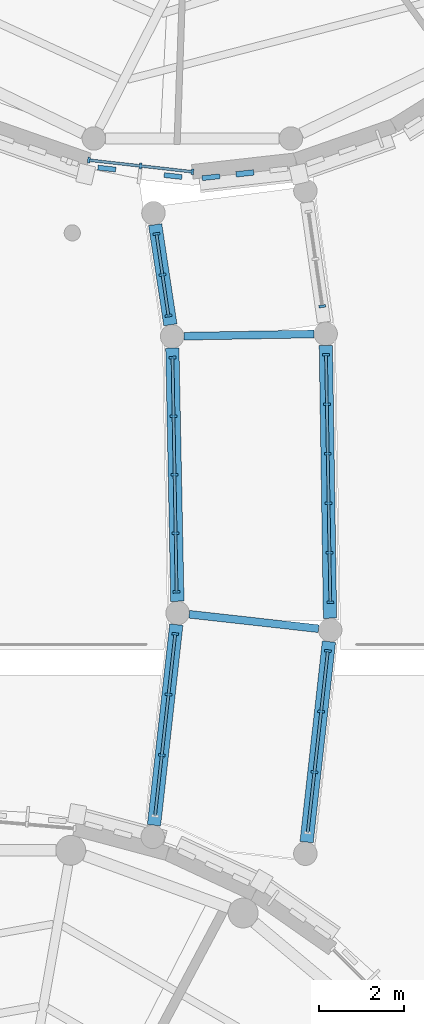
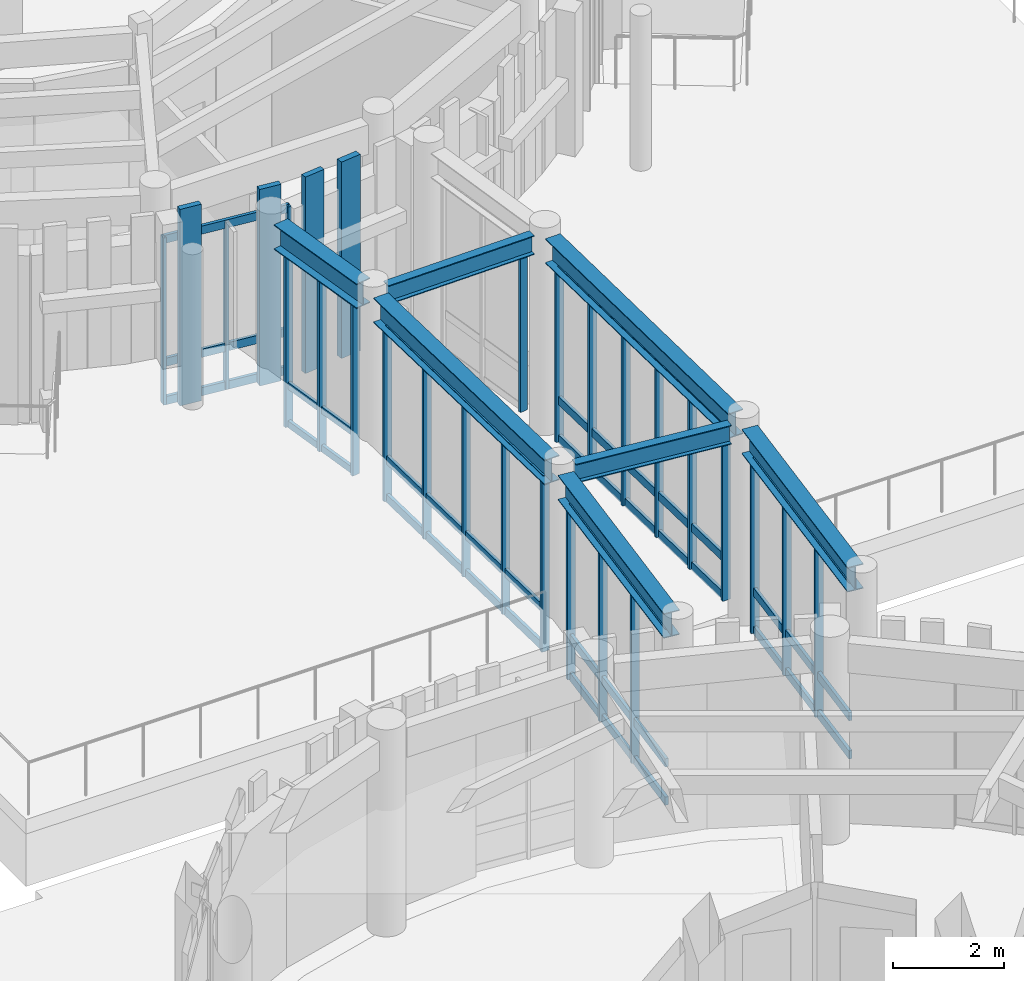
# One storey, part 10 of 94: 46 members, 7 beams, 7 elements without a shape of their own.
"""IFC4 building model written with IfcOpenShell, lengths in metres."""

from ifc_helpers import new_model, si_unit, direction, frame, origin, origin_2d, place, context, subcontext, project, spatial, rectangle, i_section, extrude, material, layer, layer_set, material_profile, profile_set, type_object, element, aggregate, save


model = new_model("IFC4")

# Units and contexts
model_context = context("Model", 3, precision=1e-05, world=origin(), true_north=direction((0.0, 1.0)))
body_context = subcontext(model_context, "Body", "Model", "MODEL_VIEW")
ifc_project = project(units=[si_unit("LENGTHUNIT", "METRE"), si_unit("AREAUNIT", "SQUARE_METRE"), si_unit("VOLUMEUNIT", "CUBIC_METRE"), si_unit("PLANEANGLEUNIT", "RADIAN"), si_unit("MASSUNIT", "GRAM", prefix="KILO")], contexts=[model_context])

# Site, building, storey
site_placement = place(None, origin())
site = spatial("IfcSite", under=ifc_project, at=site_placement, CompositionType="ELEMENT")
building_placement = place(site_placement, origin())
building = spatial("IfcBuilding", under=site, at=building_placement, Name="Aldenvaro Health Centre", CompositionType="ELEMENT")
storey_placement = place(building_placement, origin())
storey = spatial("IfcBuildingStorey", under=building, at=storey_placement, Name="L00", CompositionType="ELEMENT", Elevation=0.0)

# Beams
ifc_material_1 = material(Name="Steel ASTM A992 Grade 50", Category="steel")
ifc_material_profile_1 = material_profile(ifc_material_1, i_section(OverallWidth=0.180908203125, OverallDepth=0.4169921875, WebThickness=0.010986328125, FlangeThickness=0.018310546875, at=origin_2d()), Name="W16X57", Category="steel")
ifc_profile_set_1 = profile_set([ifc_material_profile_1], Name="Steel ASTM A992 Grade 50")
beam_type_1 = type_object("IfcBeamType", Name="BM-ST-W16E", PredefinedType="JOIST", material=ifc_profile_set_1)
beam_1_placement = place(storey_placement, frame((23.427001953125, 36.22607421875, 4.135986328125), z_axis=(0.993838760103, -0.110835548977, 0.0), x_axis=(0.110835548977, 0.993838760103, 0.0)))
element("IfcBeam", 1, at=beam_1_placement, inside=storey, type_object=beam_type_1, Name="West South Curved Garden Walkway Arc 1 L00 cross beam 2", PredefinedType="JOIST", context=body_context, shape_type="SweptSolid", body=[
    extrude(i_section(OverallWidth=0.180908203125, OverallDepth=0.4169921875, WebThickness=0.010986328125, FlangeThickness=0.018310546875, at=origin_2d()), origin(), (0.0, 0.0, 1.0), 3.05078125),
])
beam_2_placement = place(storey_placement, frame((23.301025390625, 42.7451171875, 4.135986328125), z_axis=(0.99985468814, 0.017047070245, 0.0), x_axis=(-0.017047070245, 0.99985468814, 0.0)))
element("IfcBeam", 2, at=beam_2_placement, inside=storey, type_object=beam_type_1, Name="West South Curved Garden Walkway Arc 2 L00 cross beam 2", PredefinedType="JOIST", context=body_context, shape_type="SweptSolid", body=[
    extrude(i_section(OverallWidth=0.180908203125, OverallDepth=0.4169921875, WebThickness=0.010986328125, FlangeThickness=0.018310546875, at=origin_2d()), origin(), (0.0, 0.0, 1.0), 3.050537109375),
])
ifc_material_profile_2 = material_profile(ifc_material_1, i_section(OverallWidth=0.31201171875, OverallDepth=0.54296875, WebThickness=0.0126953125, FlangeThickness=0.020263671875, at=origin_2d()), Name="W21X101", Category="steel")
ifc_profile_set_2 = profile_set([ifc_material_profile_2], Name="Steel ASTM A992 Grade 50")
beam_type_2 = type_object("IfcBeamType", Name="BM-ST-W21E", PredefinedType="BEAM", material=ifc_profile_set_2)
beam_3_placement = place(storey_placement, frame((22.60107421875, 31.281005859375, 4.073974609375), z_axis=(0.110539141932, 0.993871771458, 0.0), x_axis=(-0.993871771458, 0.110539141932, 0.0)))
element("IfcBeam", 3, at=beam_3_placement, inside=storey, type_object=beam_type_2, Name="West South Curved Garden Walkway Arc 1 L00 girder L-1", PredefinedType="BEAM", context=body_context, shape_type="SweptSolid", body=[
    extrude(i_section(OverallWidth=0.31201171875, OverallDepth=0.54296875, WebThickness=0.0126953125, FlangeThickness=0.020263671875, at=origin_2d()), origin(), (0.0, 0.0, 1.0), 4.73095703125),
])
beam_4_placement = place(storey_placement, frame((26.178955078125, 30.884033203125, 4.073974609375), z_axis=(0.110561824468, 0.993869248428, 0.0), x_axis=(-0.993869248428, 0.110561824468, 0.0)))
element("IfcBeam", 4, at=beam_4_placement, inside=storey, type_object=beam_type_2, Name="West South Curved Garden Walkway Arc 1 L00 girder R-1", PredefinedType="BEAM", context=body_context, shape_type="SweptSolid", body=[
    extrude(i_section(OverallWidth=0.31201171875, OverallDepth=0.54296875, WebThickness=0.0126953125, FlangeThickness=0.020263671875, at=origin_2d()), origin(), (0.0, 0.0, 1.0), 4.72998046875),
])
beam_5_placement = place(storey_placement, frame((23.14892578125, 36.531005859375, 4.073974609375), z_axis=(-0.019867714319, 0.999802617484, 0.0), x_axis=(-0.999802617484, -0.019867714319, 0.0)))
element("IfcBeam", 5, at=beam_5_placement, inside=storey, type_object=beam_type_2, Name="West South Curved Garden Walkway Arc 2 L00 girder L-1", PredefinedType="BEAM", context=body_context, shape_type="SweptSolid", body=[
    extrude(i_section(OverallWidth=0.31201171875, OverallDepth=0.54296875, WebThickness=0.0126953125, FlangeThickness=0.020263671875, at=origin_2d()), origin(), (0.0, 0.0, 1.0), 5.935302734375),
])
beam_6_placement = place(storey_placement, frame((26.72802734375, 36.133056640625, 4.073974609375), z_axis=(-0.015347562128, 0.999882219232, 0.0), x_axis=(-0.999882219232, -0.015347562128, 0.0)))
element("IfcBeam", 6, at=beam_6_placement, inside=storey, type_object=beam_type_2, Name="West South Curved Garden Walkway Arc 2 L00 girder R-1", PredefinedType="BEAM", context=body_context, shape_type="SweptSolid", body=[
    extrude(i_section(OverallWidth=0.31201171875, OverallDepth=0.54296875, WebThickness=0.0126953125, FlangeThickness=0.020263671875, at=origin_2d()), origin(), (0.0, 0.0, 1.0), 6.394775390625),
])
beam_7_placement = place(storey_placement, frame((22.985107421875, 43.011962890625, 4.073974609375), z_axis=(-0.1499789487, 0.988689190265, 0.0), x_axis=(-0.988689190265, -0.1499789487, 0.0)))
element("IfcBeam", 7, at=beam_7_placement, inside=storey, type_object=beam_type_2, Name="West South Curved Garden Walkway Arc 3 L00 girder L-1", PredefinedType="BEAM", context=body_context, shape_type="SweptSolid", body=[
    extrude(i_section(OverallWidth=0.31201171875, OverallDepth=0.54296875, WebThickness=0.0126953125, FlangeThickness=0.020263671875, at=origin_2d()), origin(), (0.0, 0.0, 1.0), 2.375),
])

# Curtain wall, members
ifc_material_2 = material(Name="Anodised Aluminium 6063-T6", Category="aluminium")
ifc_layer_1 = layer(ifc_material_2, 0.195068359375, Name="Anodised Aluminium 6063-T6", Category="aluminium")
ifc_layer_set_1 = layer_set([ifc_layer_1], Name="Anodised Aluminium 6063-T6")
curtain_wall_type_1 = type_object("IfcCurtainWallType", Name="CW-CLN-02", PredefinedType="NOTDEFINED", material=ifc_layer_set_1)
curtain_wall_1_placement = place(storey_placement, origin())
curtain_wall_1 = element("IfcCurtainWall", 8, at=curtain_wall_1_placement, inside=storey, type_object=curtain_wall_type_1, Name="D3 L00 curtain wall bay 08", PredefinedType="NOTDEFINED")
ifc_material_profile_3 = material_profile(ifc_material_2, rectangle(XDim=0.06005859375, YDim=0.135009765625, at=origin_2d()), Name="ALU 60x135", Category="aluminium")
ifc_profile_set_3 = profile_set([ifc_material_profile_3], Name="Anodised Aluminium 6063-T6")
member_type_1 = type_object("IfcMemberType", Name="CWM-150", PredefinedType="MULLION", material=ifc_profile_set_3)
member_1_placement = place(storey_placement, frame((23.5, 46.60009765625, 0.0), z_axis=(0.0, 0.0, 1.0), x_axis=(-0.993722777443, 0.111870646695, 0.0)))
member_1 = element("IfcMember", 9, at=member_1_placement, type_object=member_type_1, Name="D3 L00 curtain wall bay 08 mullion 1", PredefinedType="MULLION", context=body_context, shape_type="SweptSolid", body=[
    extrude(rectangle(XDim=0.06005859375, YDim=0.135009765625, at=origin_2d()), origin(), (0.0, 0.0, 1.0), 3.658935546875),
])
member_2_placement = place(storey_placement, frame((22.2880859375, 46.736083984375, 0.0), z_axis=(0.0, 0.0, 1.0), x_axis=(-0.993722777443, 0.111870646695, 0.0)))
member_2 = element("IfcMember", 10, at=member_2_placement, type_object=member_type_1, Name="D3 L00 curtain wall bay 08 mullion 2", PredefinedType="MULLION", context=body_context, shape_type="SweptSolid", body=[
    extrude(rectangle(XDim=0.06005859375, YDim=0.135009765625, at=origin_2d()), origin(), (0.0, 0.0, 1.0), 3.658935546875),
])
member_3_placement = place(storey_placement, frame((21.074951171875, 46.873046875, 0.0), z_axis=(0.0, 0.0, 1.0), x_axis=(-0.993722777443, 0.111870646695, 0.0)))
member_3 = element("IfcMember", 11, at=member_3_placement, type_object=member_type_1, Name="D3 L00 curtain wall bay 08 mullion 3", PredefinedType="MULLION", context=body_context, shape_type="SweptSolid", body=[
    extrude(rectangle(XDim=0.06005859375, YDim=0.135009765625, at=origin_2d()), origin(), (0.0, 0.0, 1.0), 3.658935546875),
])

ifc_layer_2 = layer(ifc_material_2, 0.2099609375, Name="Anodised Aluminium 6063-T6", Category="aluminium")
ifc_layer_set_2 = layer_set([ifc_layer_2], Name="Anodised Aluminium 6063-T6")
curtain_wall_type_2 = type_object("IfcCurtainWallType", Name="CW-BRG-03", PredefinedType="NOTDEFINED", material=ifc_layer_set_2)
curtain_wall_2_placement = place(storey_placement, origin())
curtain_wall_2 = element("IfcCurtainWall", 12, at=curtain_wall_2_placement, inside=storey, type_object=curtain_wall_type_2, Name="West South Curved Garden Walkway Arc 1 L00 glazed link wall L-1.1", PredefinedType="NOTDEFINED")
ifc_material_profile_4 = material_profile(ifc_material_2, rectangle(XDim=0.06005859375, YDim=0.159912109375, at=origin_2d()), Name="ALU 60x160", Category="aluminium")
ifc_profile_set_4 = profile_set([ifc_material_profile_4], Name="Anodised Aluminium 6063-T6")
member_type_2 = type_object("IfcMemberType", Name="CWM-180", PredefinedType="MULLION", material=ifc_profile_set_4)
member_4_placement = place(storey_placement, frame((22.783935546875, 32.9208984375, 0.0), z_axis=(0.0, 0.0, 1.0), x_axis=(0.110252441518, 0.993903616625, 0.0)))
member_4 = element("IfcMember", 13, at=member_4_placement, type_object=member_type_2, Name="West South Curved Garden Walkway Arc 1 L00 glazed link wall L-1.1 mullion 2", PredefinedType="MULLION", context=body_context, shape_type="SweptSolid", body=[
    extrude(rectangle(XDim=0.06005859375, YDim=0.159912109375, at=origin_2d()), origin(), (0.0, 0.0, 1.0), 3.804931640625),
])
member_5_placement = place(storey_placement, frame((22.94091796875, 34.343017578125, 0.0), z_axis=(0.0, 0.0, 1.0), x_axis=(0.110252441518, 0.993903616625, 0.0)))
member_5 = element("IfcMember", 14, at=member_5_placement, type_object=member_type_2, Name="West South Curved Garden Walkway Arc 1 L00 glazed link wall L-1.1 mullion 3", PredefinedType="MULLION", context=body_context, shape_type="SweptSolid", body=[
    extrude(rectangle(XDim=0.06005859375, YDim=0.159912109375, at=origin_2d()), origin(), (0.0, 0.0, 1.0), 3.804931640625),
])
member_6_placement = place(storey_placement, frame((23.09912109375, 35.763916015625, 0.0), z_axis=(0.0, 0.0, 1.0), x_axis=(0.110252441518, 0.993903616625, 0.0)))
member_6 = element("IfcMember", 15, at=member_6_placement, type_object=member_type_2, Name="West South Curved Garden Walkway Arc 1 L00 glazed link wall L-1.1 mullion 4", PredefinedType="MULLION", context=body_context, shape_type="SweptSolid", body=[
    extrude(rectangle(XDim=0.06005859375, YDim=0.159912109375, at=origin_2d()), origin(), (0.0, 0.0, 1.0), 3.804931640625),
])

curtain_wall_3_placement = place(storey_placement, origin())
curtain_wall_3 = element("IfcCurtainWall", 16, at=curtain_wall_3_placement, inside=storey, type_object=curtain_wall_type_2, Name="West South Curved Garden Walkway Arc 1 L00 glazed link wall R-1.1", PredefinedType="NOTDEFINED")
member_7_placement = place(storey_placement, frame((26.362060546875, 32.52392578125, 0.0), z_axis=(0.0, 0.0, 1.0), x_axis=(0.110277989687, 0.993900782267, 0.0)))
member_7 = element("IfcMember", 17, at=member_7_placement, type_object=member_type_2, Name="West South Curved Garden Walkway Arc 1 L00 glazed link wall R-1.1 mullion 2", PredefinedType="MULLION", context=body_context, shape_type="SweptSolid", body=[
    extrude(rectangle(XDim=0.06005859375, YDim=0.159912109375, at=origin_2d()), origin(), (0.0, 0.0, 1.0), 3.804931640625),
])
member_8_placement = place(storey_placement, frame((26.51904296875, 33.945068359375, 0.0), z_axis=(0.0, 0.0, 1.0), x_axis=(0.110277989687, 0.993900782267, 0.0)))
member_8 = element("IfcMember", 18, at=member_8_placement, type_object=member_type_2, Name="West South Curved Garden Walkway Arc 1 L00 glazed link wall R-1.1 mullion 3", PredefinedType="MULLION", context=body_context, shape_type="SweptSolid", body=[
    extrude(rectangle(XDim=0.06005859375, YDim=0.159912109375, at=origin_2d()), origin(), (0.0, 0.0, 1.0), 3.804931640625),
])
member_9_placement = place(storey_placement, frame((26.677001953125, 35.365966796875, 0.0), z_axis=(0.0, 0.0, 1.0), x_axis=(0.110277989687, 0.993900782267, 0.0)))
member_9 = element("IfcMember", 19, at=member_9_placement, type_object=member_type_2, Name="West South Curved Garden Walkway Arc 1 L00 glazed link wall R-1.1 mullion 4", PredefinedType="MULLION", context=body_context, shape_type="SweptSolid", body=[
    extrude(rectangle(XDim=0.06005859375, YDim=0.159912109375, at=origin_2d()), origin(), (0.0, 0.0, 1.0), 3.804931640625),
])

curtain_wall_4_placement = place(storey_placement, origin())
curtain_wall_4 = element("IfcCurtainWall", 20, at=curtain_wall_4_placement, inside=storey, type_object=curtain_wall_type_2, Name="West South Curved Garden Walkway Arc 2 L00 glazed link wall L-1.1", PredefinedType="NOTDEFINED")
member_10_placement = place(storey_placement, frame((23.131103515625, 36.75, 0.0), z_axis=(0.0, 0.0, 1.0), x_axis=(-0.017467762138, 0.999847427004, 0.0)))
member_10 = element("IfcMember", 21, at=member_10_placement, type_object=member_type_2, Name="West South Curved Garden Walkway Arc 2 L00 glazed link wall L-1.1 mullion 1", PredefinedType="MULLION", context=body_context, shape_type="SweptSolid", body=[
    extrude(rectangle(XDim=0.06005859375, YDim=0.159912109375, at=origin_2d()), origin(), (0.0, 0.0, 1.0), 3.804931640625),
])
member_11_placement = place(storey_placement, frame((23.10693359375, 38.1240234375, 0.0), z_axis=(0.0, 0.0, 1.0), x_axis=(-0.017467762138, 0.999847427004, 0.0)))
member_11 = element("IfcMember", 22, at=member_11_placement, type_object=member_type_2, Name="West South Curved Garden Walkway Arc 2 L00 glazed link wall L-1.1 mullion 2", PredefinedType="MULLION", context=body_context, shape_type="SweptSolid", body=[
    extrude(rectangle(XDim=0.06005859375, YDim=0.159912109375, at=origin_2d()), origin(), (0.0, 0.0, 1.0), 3.804931640625),
])
member_12_placement = place(storey_placement, frame((23.0830078125, 39.498046875, 0.0), z_axis=(0.0, 0.0, 1.0), x_axis=(-0.017467762138, 0.999847427004, 0.0)))
member_12 = element("IfcMember", 23, at=member_12_placement, type_object=member_type_2, Name="West South Curved Garden Walkway Arc 2 L00 glazed link wall L-1.1 mullion 3", PredefinedType="MULLION", context=body_context, shape_type="SweptSolid", body=[
    extrude(rectangle(XDim=0.06005859375, YDim=0.159912109375, at=origin_2d()), origin(), (0.0, 0.0, 1.0), 3.804931640625),
])
member_13_placement = place(storey_placement, frame((23.05908203125, 40.87109375, 0.0), z_axis=(0.0, 0.0, 1.0), x_axis=(-0.017467762138, 0.999847427004, 0.0)))
member_13 = element("IfcMember", 24, at=member_13_placement, type_object=member_type_2, Name="West South Curved Garden Walkway Arc 2 L00 glazed link wall L-1.1 mullion 4", PredefinedType="MULLION", context=body_context, shape_type="SweptSolid", body=[
    extrude(rectangle(XDim=0.06005859375, YDim=0.159912109375, at=origin_2d()), origin(), (0.0, 0.0, 1.0), 3.804931640625),
])
member_14_placement = place(storey_placement, frame((23.034912109375, 42.2451171875, 0.0), z_axis=(0.0, 0.0, 1.0), x_axis=(-0.017467762138, 0.999847427004, 0.0)))
member_14 = element("IfcMember", 25, at=member_14_placement, type_object=member_type_2, Name="West South Curved Garden Walkway Arc 2 L00 glazed link wall L-1.1 mullion 5", PredefinedType="MULLION", context=body_context, shape_type="SweptSolid", body=[
    extrude(rectangle(XDim=0.06005859375, YDim=0.159912109375, at=origin_2d()), origin(), (0.0, 0.0, 1.0), 3.804931640625),
])

curtain_wall_5_placement = place(storey_placement, origin())
curtain_wall_5 = element("IfcCurtainWall", 26, at=curtain_wall_5_placement, inside=storey, type_object=curtain_wall_type_2, Name="West South Curved Garden Walkway Arc 2 L00 glazed link wall R-1.1", PredefinedType="NOTDEFINED")
member_15_placement = place(storey_placement, frame((26.735107421875, 36.508056640625, 0.0), z_axis=(0.0, 0.0, 1.0), x_axis=(-0.017414154948, 0.999848362107, 0.0)))
member_15 = element("IfcMember", 27, at=member_15_placement, type_object=member_type_2, Name="West South Curved Garden Walkway Arc 2 L00 glazed link wall R-1.1 mullion 1", PredefinedType="MULLION", context=body_context, shape_type="SweptSolid", body=[
    extrude(rectangle(XDim=0.06005859375, YDim=0.159912109375, at=origin_2d()), origin(), (0.0, 0.0, 1.0), 3.804931640625),
])
member_16_placement = place(storey_placement, frame((26.715087890625, 37.66796875, 0.0), z_axis=(0.0, 0.0, 1.0), x_axis=(-0.017414154948, 0.999848362107, 0.0)))
member_16 = element("IfcMember", 28, at=member_16_placement, type_object=member_type_2, Name="West South Curved Garden Walkway Arc 2 L00 glazed link wall R-1.1 mullion 2", PredefinedType="MULLION", context=body_context, shape_type="SweptSolid", body=[
    extrude(rectangle(XDim=0.06005859375, YDim=0.159912109375, at=origin_2d()), origin(), (0.0, 0.0, 1.0), 3.804931640625),
])
member_17_placement = place(storey_placement, frame((26.695068359375, 38.827880859375, 0.0), z_axis=(0.0, 0.0, 1.0), x_axis=(-0.017414154948, 0.999848362107, 0.0)))
member_17 = element("IfcMember", 29, at=member_17_placement, type_object=member_type_2, Name="West South Curved Garden Walkway Arc 2 L00 glazed link wall R-1.1 mullion 3", PredefinedType="MULLION", context=body_context, shape_type="SweptSolid", body=[
    extrude(rectangle(XDim=0.06005859375, YDim=0.159912109375, at=origin_2d()), origin(), (0.0, 0.0, 1.0), 3.804931640625),
])
member_18_placement = place(storey_placement, frame((26.674072265625, 39.987060546875, 0.0), z_axis=(0.0, 0.0, 1.0), x_axis=(-0.017414154948, 0.999848362107, 0.0)))
member_18 = element("IfcMember", 30, at=member_18_placement, type_object=member_type_2, Name="West South Curved Garden Walkway Arc 2 L00 glazed link wall R-1.1 mullion 4", PredefinedType="MULLION", context=body_context, shape_type="SweptSolid", body=[
    extrude(rectangle(XDim=0.06005859375, YDim=0.159912109375, at=origin_2d()), origin(), (0.0, 0.0, 1.0), 3.804931640625),
])
member_19_placement = place(storey_placement, frame((26.654052734375, 41.14697265625, 0.0), z_axis=(0.0, 0.0, 1.0), x_axis=(-0.017414154948, 0.999848362107, 0.0)))
member_19 = element("IfcMember", 31, at=member_19_placement, type_object=member_type_2, Name="West South Curved Garden Walkway Arc 2 L00 glazed link wall R-1.1 mullion 5", PredefinedType="MULLION", context=body_context, shape_type="SweptSolid", body=[
    extrude(rectangle(XDim=0.06005859375, YDim=0.159912109375, at=origin_2d()), origin(), (0.0, 0.0, 1.0), 3.804931640625),
])
member_20_placement = place(storey_placement, frame((26.634033203125, 42.306884765625, 0.0), z_axis=(0.0, 0.0, 1.0), x_axis=(-0.017414154948, 0.999848362107, 0.0)))
member_20 = element("IfcMember", 32, at=member_20_placement, type_object=member_type_2, Name="West South Curved Garden Walkway Arc 2 L00 glazed link wall R-1.1 mullion 6", PredefinedType="MULLION", context=body_context, shape_type="SweptSolid", body=[
    extrude(rectangle(XDim=0.06005859375, YDim=0.159912109375, at=origin_2d()), origin(), (0.0, 0.0, 1.0), 3.804931640625),
])

curtain_wall_6_placement = place(storey_placement, origin())
curtain_wall_6 = element("IfcCurtainWall", 33, at=curtain_wall_6_placement, inside=storey, type_object=curtain_wall_type_2, Name="West South Curved Garden Walkway Arc 3 L00 glazed link wall L-1.1", PredefinedType="NOTDEFINED")
member_21_placement = place(storey_placement, frame((22.93994140625, 43.22705078125, 0.0), z_axis=(0.0, 0.0, 1.0), x_axis=(-0.14510744713, 0.989415902837, 0.0)))
member_21 = element("IfcMember", 34, at=member_21_placement, type_object=member_type_2, Name="West South Curved Garden Walkway Arc 3 L00 glazed link wall L-1.1 mullion 1", PredefinedType="MULLION", context=body_context, shape_type="SweptSolid", body=[
    extrude(rectangle(XDim=0.06005859375, YDim=0.159912109375, at=origin_2d()), origin(), (0.0, 0.0, 1.0), 3.804931640625),
])
member_22_placement = place(storey_placement, frame((22.800048828125, 44.18505859375, 0.0), z_axis=(0.0, 0.0, 1.0), x_axis=(-0.14510744713, 0.989415902837, 0.0)))
member_22 = element("IfcMember", 35, at=member_22_placement, type_object=member_type_2, Name="West South Curved Garden Walkway Arc 3 L00 glazed link wall L-1.1 mullion 2", PredefinedType="MULLION", context=body_context, shape_type="SweptSolid", body=[
    extrude(rectangle(XDim=0.06005859375, YDim=0.159912109375, at=origin_2d()), origin(), (0.0, 0.0, 1.0), 3.804931640625),
])
member_23_placement = place(storey_placement, frame((22.658935546875, 45.14306640625, 0.0), z_axis=(0.0, 0.0, 1.0), x_axis=(-0.14510744713, 0.989415902837, 0.0)))
member_23 = element("IfcMember", 36, at=member_23_placement, type_object=member_type_2, Name="West South Curved Garden Walkway Arc 3 L00 glazed link wall L-1.1 mullion 3", PredefinedType="MULLION", context=body_context, shape_type="SweptSolid", body=[
    extrude(rectangle(XDim=0.06005859375, YDim=0.159912109375, at=origin_2d()), origin(), (0.0, 0.0, 1.0), 3.804931640625),
])

# Curtain wall, member
curtain_wall_7_placement = place(storey_placement, origin())
curtain_wall_7 = element("IfcCurtainWall", 37, at=curtain_wall_7_placement, inside=storey, type_object=curtain_wall_type_2, Name="West South Curved Garden Walkway Arc 3 L00 glazed link wall R-1.1", PredefinedType="NOTDEFINED")
member_24_placement = place(storey_placement, frame((26.5458984375, 43.447021484375, 0.0), z_axis=(0.0, 0.0, 1.0), x_axis=(-0.144980265004, 0.989434546981, 0.0)))
member_24 = element("IfcMember", 38, at=member_24_placement, type_object=member_type_2, Name="West South Curved Garden Walkway Arc 3 L00 glazed link wall R-1.1 mullion 1", PredefinedType="MULLION", context=body_context, shape_type="SweptSolid", body=[
    extrude(rectangle(XDim=0.06005859375, YDim=0.159912109375, at=origin_2d()), origin(), (0.0, 0.0, 1.0), 3.804931640625),
])
aggregate(curtain_wall_7, [member_24])

# Member
ifc_material_profile_5 = material_profile(ifc_material_2, rectangle(XDim=0.06494140625, YDim=0.14990234375, at=origin_2d()), Name="ALU 65x150", Category="aluminium")
ifc_profile_set_5 = profile_set([ifc_material_profile_5], Name="Anodised Aluminium 6063-T6")
member_type_3 = type_object("IfcMemberType", Name="CWT-120", PredefinedType="USERDEFINED", material=ifc_profile_set_5)
member_25_placement = place(storey_placement, frame((22.93994140625, 43.22705078125, 0.06005859375), z_axis=(-0.145109250727, 0.989415638321, 0.0), x_axis=(-0.989415638321, -0.145109250727, 0.0)))
member_25 = element("IfcMember", 39, at=member_25_placement, type_object=member_type_3, Name="West South Curved Garden Walkway Arc 3 L00 glazed link wall L-1.1 transom 1", ObjectType="TRANSOM", PredefinedType="USERDEFINED", context=body_context, shape_type="SweptSolid", body=[
    extrude(rectangle(XDim=0.06494140625, YDim=0.14990234375, at=origin_2d()), origin(), (0.0, 0.0, 1.0), 1.9365234375),
])

member_26_placement = place(storey_placement, frame((22.93994140625, 43.22705078125, 0.89990234375), z_axis=(-0.145109250727, 0.989415638321, 0.0), x_axis=(-0.989415638321, -0.145109250727, 0.0)))
member_26 = element("IfcMember", 40, at=member_26_placement, type_object=member_type_3, Name="West South Curved Garden Walkway Arc 3 L00 glazed link wall L-1.1 transom 2", ObjectType="TRANSOM", PredefinedType="USERDEFINED", context=body_context, shape_type="SweptSolid", body=[
    extrude(rectangle(XDim=0.06494140625, YDim=0.14990234375, at=origin_2d()), origin(), (0.0, 0.0, 1.0), 1.9365234375),
])

member_27_placement = place(storey_placement, frame((22.93994140625, 43.22705078125, 3.7451171875), z_axis=(-0.145109250727, 0.989415638321, 0.0), x_axis=(-0.989415638321, -0.145109250727, 0.0)))
member_27 = element("IfcMember", 41, at=member_27_placement, type_object=member_type_3, Name="West South Curved Garden Walkway Arc 3 L00 glazed link wall L-1.1 transom 3", ObjectType="TRANSOM", PredefinedType="USERDEFINED", context=body_context, shape_type="SweptSolid", body=[
    extrude(rectangle(XDim=0.06494140625, YDim=0.14990234375, at=origin_2d()), origin(), (0.0, 0.0, 1.0), 1.9365234375),
])

aggregate(curtain_wall_6, [member_21, member_22, member_23, member_25, member_26, member_27])

ifc_material_profile_6 = material_profile(ifc_material_2, rectangle(XDim=0.06494140625, YDim=0.179931640625, at=origin_2d()), Name="ALU 65x180", Category="aluminium")
ifc_profile_set_6 = profile_set([ifc_material_profile_6], Name="Anodised Aluminium 6063-T6")
member_type_4 = type_object("IfcMemberType", Name="CWT-150", PredefinedType="USERDEFINED", material=ifc_profile_set_6)
member_28_placement = place(storey_placement, frame((23.5, 46.60009765625, 0.06005859375), z_axis=(-0.993725340882, 0.111847873866, 0.0), x_axis=(-0.111847873866, -0.993725340882, 0.0)))
member_28 = element("IfcMember", 42, at=member_28_placement, type_object=member_type_4, Name="D3 L00 curtain wall bay 08 transom 1", ObjectType="TRANSOM", PredefinedType="USERDEFINED", context=body_context, shape_type="SweptSolid", body=[
    extrude(rectangle(XDim=0.06494140625, YDim=0.179931640625, at=origin_2d()), origin(), (0.0, 0.0, 1.0), 2.4404296875),
])

member_29_placement = place(storey_placement, frame((23.5, 46.60009765625, 0.89990234375), z_axis=(-0.993725340882, 0.111847873866, 0.0), x_axis=(-0.111847873866, -0.993725340882, 0.0)))
member_29 = element("IfcMember", 43, at=member_29_placement, type_object=member_type_4, Name="D3 L00 curtain wall bay 08 transom 2", ObjectType="TRANSOM", PredefinedType="USERDEFINED", context=body_context, shape_type="SweptSolid", body=[
    extrude(rectangle(XDim=0.06494140625, YDim=0.179931640625, at=origin_2d()), origin(), (0.0, 0.0, 1.0), 2.4404296875),
])

member_30_placement = place(storey_placement, frame((23.5, 46.60009765625, 3.59912109375), z_axis=(-0.993725340882, 0.111847873866, 0.0), x_axis=(-0.111847873866, -0.993725340882, 0.0)))
member_30 = element("IfcMember", 44, at=member_30_placement, type_object=member_type_4, Name="D3 L00 curtain wall bay 08 transom 3", ObjectType="TRANSOM", PredefinedType="USERDEFINED", context=body_context, shape_type="SweptSolid", body=[
    extrude(rectangle(XDim=0.06494140625, YDim=0.179931640625, at=origin_2d()), origin(), (0.0, 0.0, 1.0), 2.4404296875),
])

aggregate(curtain_wall_1, [member_1, member_2, member_3, member_28, member_29, member_30])

member_31_placement = place(storey_placement, frame((22.6259765625, 31.5, 0.06005859375), z_axis=(0.110287866709, 0.993899686315, 0.0), x_axis=(-0.993899686315, 0.110287866709, 0.0)))
member_31 = element("IfcMember", 45, at=member_31_placement, type_object=member_type_4, Name="West South Curved Garden Walkway Arc 1 L00 glazed link wall L-1.1 transom 1", ObjectType="TRANSOM", PredefinedType="USERDEFINED", context=body_context, shape_type="SweptSolid", body=[
    extrude(rectangle(XDim=0.06494140625, YDim=0.179931640625, at=origin_2d()), origin(), (0.0, 0.0, 1.0), 4.2900390625),
])

member_32_placement = place(storey_placement, frame((22.6259765625, 31.5, 0.89990234375), z_axis=(0.110287866709, 0.993899686315, 0.0), x_axis=(-0.993899686315, 0.110287866709, 0.0)))
member_32 = element("IfcMember", 46, at=member_32_placement, type_object=member_type_4, Name="West South Curved Garden Walkway Arc 1 L00 glazed link wall L-1.1 transom 2", ObjectType="TRANSOM", PredefinedType="USERDEFINED", context=body_context, shape_type="SweptSolid", body=[
    extrude(rectangle(XDim=0.06494140625, YDim=0.179931640625, at=origin_2d()), origin(), (0.0, 0.0, 1.0), 4.2900390625),
])

member_33_placement = place(storey_placement, frame((22.6259765625, 31.5, 3.7451171875), z_axis=(0.110287866709, 0.993899686315, 0.0), x_axis=(-0.993899686315, 0.110287866709, 0.0)))
member_33 = element("IfcMember", 47, at=member_33_placement, type_object=member_type_4, Name="West South Curved Garden Walkway Arc 1 L00 glazed link wall L-1.1 transom 3", ObjectType="TRANSOM", PredefinedType="USERDEFINED", context=body_context, shape_type="SweptSolid", body=[
    extrude(rectangle(XDim=0.06494140625, YDim=0.179931640625, at=origin_2d()), origin(), (0.0, 0.0, 1.0), 4.2900390625),
])

aggregate(curtain_wall_2, [member_4, member_5, member_6, member_31, member_32, member_33])

member_34_placement = place(storey_placement, frame((26.2041015625, 31.10302734375, 0.06005859375), z_axis=(0.110256595432, 0.993903155827, 0.0), x_axis=(-0.993903155827, 0.110256595432, 0.0)))
member_34 = element("IfcMember", 48, at=member_34_placement, type_object=member_type_4, Name="West South Curved Garden Walkway Arc 1 L00 glazed link wall R-1.1 transom 1", ObjectType="TRANSOM", PredefinedType="USERDEFINED", context=body_context, shape_type="SweptSolid", body=[
    extrude(rectangle(XDim=0.06494140625, YDim=0.179931640625, at=origin_2d()), origin(), (0.0, 0.0, 1.0), 4.2890625),
])

member_35_placement = place(storey_placement, frame((26.2041015625, 31.10302734375, 0.89990234375), z_axis=(0.110256595432, 0.993903155827, 0.0), x_axis=(-0.993903155827, 0.110256595432, 0.0)))
member_35 = element("IfcMember", 49, at=member_35_placement, type_object=member_type_4, Name="West South Curved Garden Walkway Arc 1 L00 glazed link wall R-1.1 transom 2", ObjectType="TRANSOM", PredefinedType="USERDEFINED", context=body_context, shape_type="SweptSolid", body=[
    extrude(rectangle(XDim=0.06494140625, YDim=0.179931640625, at=origin_2d()), origin(), (0.0, 0.0, 1.0), 4.2890625),
])

member_36_placement = place(storey_placement, frame((26.2041015625, 31.10302734375, 3.7451171875), z_axis=(0.110256595432, 0.993903155827, 0.0), x_axis=(-0.993903155827, 0.110256595432, 0.0)))
member_36 = element("IfcMember", 50, at=member_36_placement, type_object=member_type_4, Name="West South Curved Garden Walkway Arc 1 L00 glazed link wall R-1.1 transom 3", ObjectType="TRANSOM", PredefinedType="USERDEFINED", context=body_context, shape_type="SweptSolid", body=[
    extrude(rectangle(XDim=0.06494140625, YDim=0.179931640625, at=origin_2d()), origin(), (0.0, 0.0, 1.0), 4.2890625),
])

aggregate(curtain_wall_3, [member_7, member_8, member_9, member_34, member_35, member_36])

member_37_placement = place(storey_placement, frame((23.131103515625, 36.75, 0.06005859375), z_axis=(-0.017502205834, 0.999846824664, 0.0), x_axis=(-0.999846824664, -0.017502205834, 0.0)))
member_37 = element("IfcMember", 51, at=member_37_placement, type_object=member_type_4, Name="West South Curved Garden Walkway Arc 2 L00 glazed link wall L-1.1 transom 1", ObjectType="TRANSOM", PredefinedType="USERDEFINED", context=body_context, shape_type="SweptSolid", body=[
    extrude(rectangle(XDim=0.06494140625, YDim=0.179931640625, at=origin_2d()), origin(), (0.0, 0.0, 1.0), 5.495849609375),
])

member_38_placement = place(storey_placement, frame((23.131103515625, 36.75, 0.89990234375), z_axis=(-0.017502205834, 0.999846824664, 0.0), x_axis=(-0.999846824664, -0.017502205834, 0.0)))
member_38 = element("IfcMember", 52, at=member_38_placement, type_object=member_type_4, Name="West South Curved Garden Walkway Arc 2 L00 glazed link wall L-1.1 transom 2", ObjectType="TRANSOM", PredefinedType="USERDEFINED", context=body_context, shape_type="SweptSolid", body=[
    extrude(rectangle(XDim=0.06494140625, YDim=0.179931640625, at=origin_2d()), origin(), (0.0, 0.0, 1.0), 5.495849609375),
])

member_39_placement = place(storey_placement, frame((23.131103515625, 36.75, 3.7451171875), z_axis=(-0.017502205834, 0.999846824664, 0.0), x_axis=(-0.999846824664, -0.017502205834, 0.0)))
member_39 = element("IfcMember", 53, at=member_39_placement, type_object=member_type_4, Name="West South Curved Garden Walkway Arc 2 L00 glazed link wall L-1.1 transom 3", ObjectType="TRANSOM", PredefinedType="USERDEFINED", context=body_context, shape_type="SweptSolid", body=[
    extrude(rectangle(XDim=0.06494140625, YDim=0.179931640625, at=origin_2d()), origin(), (0.0, 0.0, 1.0), 5.495849609375),
])

aggregate(curtain_wall_4, [member_10, member_11, member_12, member_13, member_14, member_37, member_38, member_39])

member_40_placement = place(storey_placement, frame((26.735107421875, 36.508056640625, 0.06005859375), z_axis=(-0.017427464041, 0.999848130216, 0.0), x_axis=(-0.999848130216, -0.017427464041, 0.0)))
member_40 = element("IfcMember", 54, at=member_40_placement, type_object=member_type_4, Name="West South Curved Garden Walkway Arc 2 L00 glazed link wall R-1.1 transom 1", ObjectType="TRANSOM", PredefinedType="USERDEFINED", context=body_context, shape_type="SweptSolid", body=[
    extrude(rectangle(XDim=0.06494140625, YDim=0.179931640625, at=origin_2d()), origin(), (0.0, 0.0, 1.0), 5.7998046875),
])

member_41_placement = place(storey_placement, frame((26.735107421875, 36.508056640625, 0.89990234375), z_axis=(-0.017427464041, 0.999848130216, 0.0), x_axis=(-0.999848130216, -0.017427464041, 0.0)))
member_41 = element("IfcMember", 55, at=member_41_placement, type_object=member_type_4, Name="West South Curved Garden Walkway Arc 2 L00 glazed link wall R-1.1 transom 2", ObjectType="TRANSOM", PredefinedType="USERDEFINED", context=body_context, shape_type="SweptSolid", body=[
    extrude(rectangle(XDim=0.06494140625, YDim=0.179931640625, at=origin_2d()), origin(), (0.0, 0.0, 1.0), 5.7998046875),
])

member_42_placement = place(storey_placement, frame((26.735107421875, 36.508056640625, 3.7451171875), z_axis=(-0.017427464041, 0.999848130216, 0.0), x_axis=(-0.999848130216, -0.017427464041, 0.0)))
member_42 = element("IfcMember", 56, at=member_42_placement, type_object=member_type_4, Name="West South Curved Garden Walkway Arc 2 L00 glazed link wall R-1.1 transom 3", ObjectType="TRANSOM", PredefinedType="USERDEFINED", context=body_context, shape_type="SweptSolid", body=[
    extrude(rectangle(XDim=0.06494140625, YDim=0.179931640625, at=origin_2d()), origin(), (0.0, 0.0, 1.0), 5.7998046875),
])

aggregate(curtain_wall_5, [member_15, member_16, member_17, member_18, member_19, member_20, member_40, member_41, member_42])

# Members
ifc_material_3 = material(Name="Glulam GL28h", Category="wood")
ifc_material_profile_7 = material_profile(ifc_material_3, rectangle(XDim=0.114990234375, YDim=0.419921875, at=origin_2d()), Name="GL 115x420", Category="wood")
ifc_profile_set_7 = profile_set([ifc_material_profile_7], Name="Glulam GL28h")
member_type_5 = type_object("IfcMemberType", Name="MEM-SLT-420A", PredefinedType="POST", material=ifc_profile_set_7)
for number, where, z_axis, x_axis, name in (
    (57, (23.93701171875, 46.472900390625, 0.0), (0.0, 0.0, 1.0), (0.111870646695, -0.993722777443, 0.0), "D3 L00 vertical timber slat 7.3"),
    (58, (23.047119140625, 46.5, 0.0), (0.0, 0.0, 1.0), (-0.111870646695, -0.993722777443, 0.0), "D3 L00 curtain mullion timber slat 8"),
    (59, (21.4951171875, 46.675048828125, 0.0), (0.0, 0.0, 1.0), (-0.111870646695, -0.993722777443, 0.0), "D3 L00 curtain mullion timber slat 8"),
):
    element("IfcMember", number, at=place(storey_placement, frame(where, z_axis=z_axis, x_axis=x_axis)), inside=storey, type_object=member_type_5, Name=name, PredefinedType="POST", context=body_context, shape_type="SweptSolid", body=[
        extrude(rectangle(XDim=0.114990234375, YDim=0.419921875, at=origin_2d()), origin(), (0.0, 0.0, 1.0), 4.304931640625),
    ])
ifc_material_profile_8 = material_profile(ifc_material_3, rectangle(XDim=0.1298828125, YDim=0.419921875, at=origin_2d()), Name="GL 130x420", Category="wood")
ifc_profile_set_8 = profile_set([ifc_material_profile_8], Name="Glulam GL28h")
member_type_6 = type_object("IfcMemberType", Name="MEM-SLT-420B", PredefinedType="POST", material=ifc_profile_set_8)
member_43_placement = place(storey_placement, frame((24.73193359375, 46.56298828125, 0.0), z_axis=(0.0, 0.0, 1.0), x_axis=(0.111870646695, -0.993722777443, 0.0)))
element("IfcMember", 60, at=member_43_placement, inside=storey, type_object=member_type_6, Name="D3 L00 vertical timber slat 7.2", PredefinedType="POST", context=body_context, shape_type="SweptSolid", body=[
    extrude(rectangle(XDim=0.1298828125, YDim=0.419921875, at=origin_2d()), origin(), (0.0, 0.0, 1.0), 4.304931640625),
])

save(model, "model.ifc")
